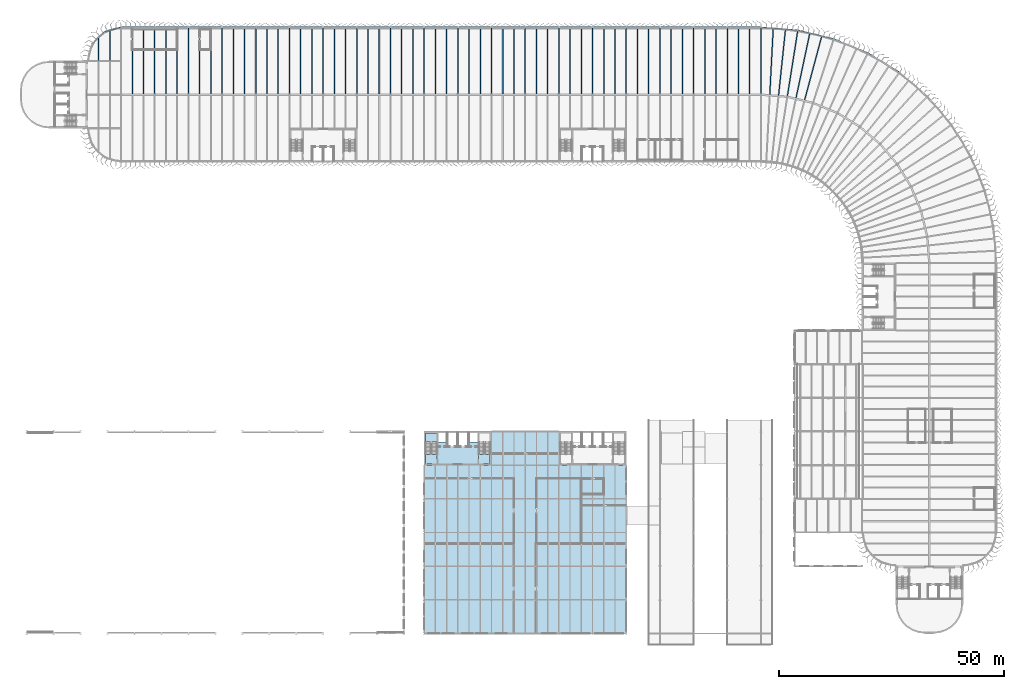
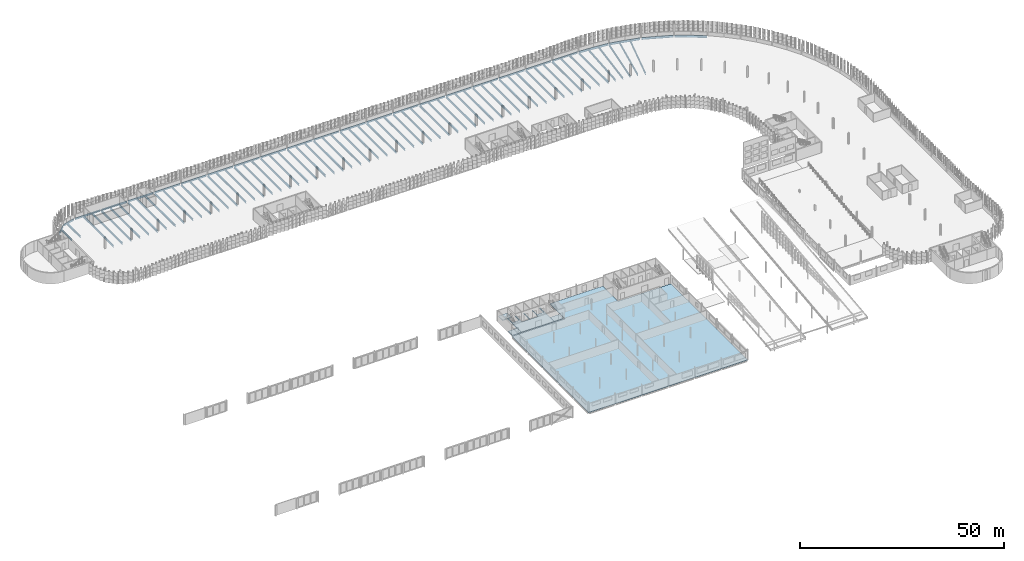
# One storey, part 45 of 199: 89 beams, 5 slabs, 1 element without a shape of its own.
"""IFC4 building model written with IfcOpenShell, lengths in metres."""

from ifc_helpers import new_model, si_unit, direction, frame, origin, origin_2d, place, context, subcontext, project, spatial, polyline, i_section, outline, extrude, material, layer, layer_set, material_profile, profile_set, type_object, element, aggregate, save


model = new_model("IFC4")

# Units and contexts
model_context = context("Model", 3, precision=1e-05, world=origin(), true_north=direction((0.0, 1.0)))
body_context = subcontext(model_context, "Body", "Model", "MODEL_VIEW")
ifc_project = project(units=[si_unit("LENGTHUNIT", "METRE"), si_unit("AREAUNIT", "SQUARE_METRE"), si_unit("VOLUMEUNIT", "CUBIC_METRE"), si_unit("PLANEANGLEUNIT", "RADIAN"), si_unit("MASSUNIT", "GRAM", prefix="KILO")], contexts=[model_context])

# Site, building, storey
site_placement = place(None, origin())
site = spatial("IfcSite", under=ifc_project, at=site_placement, CompositionType="ELEMENT")
building_placement = place(site_placement, origin())
building = spatial("IfcBuilding", under=site, at=building_placement, Name="Parallax Yard Mobility Hub", CompositionType="ELEMENT")
storey_placement = place(building_placement, frame((0.0, 0.0, 9.89990234375)))
storey = spatial("IfcBuildingStorey", under=building, at=storey_placement, Name="L03", CompositionType="ELEMENT", Elevation=9.89990234375)

# Beams
ifc_material_1 = material(Name="Steel ASTM A992", Category="steel")
ifc_material_profile_1 = material_profile(ifc_material_1, i_section(OverallWidth=0.208984375, OverallDepth=0.532958984375, WebThickness=0.01025390625, FlangeThickness=0.015625, FilletRadius=0.0126953125, at=origin_2d()), Name="W530x92")
ifc_profile_set_1 = profile_set([ifc_material_profile_1], Name="Steel ASTM A992")
beam_type_1 = type_object("IfcBeamType", Name="W530x92 edge beam", PredefinedType="SPANDREL", material=ifc_profile_set_1)
beam_1_placement = place(storey_placement, frame((30.153564453125, 142.5, -0.406494140625), z_axis=(1.0, 0.0, 0.0), x_axis=(0.0, 1.0, 0.0)))
element("IfcBeam", 1, at=beam_1_placement, inside=storey, type_object=beam_type_1, Name="Edge beam SB5 level L03, line V of ramped parking decks, span 1", PredefinedType="SPANDREL", context=body_context, shape_type="SweptSolid", body=[
    extrude(i_section(OverallWidth=0.208984375, OverallDepth=0.532958984375, WebThickness=0.01025390625, FlangeThickness=0.015625, FilletRadius=0.0126953125, at=origin_2d()), origin(), (0.0, 0.0, 1.0), 7.19384765625),
])
for number, where, z_axis, x_axis, name in (
    (2, (37.652587890625, 142.5, -0.406494140625), (1.0, 0.0, 0.0), (0.0, 1.0, 0.0), "Edge beam SB5 level L03, line V of ramped parking decks, span 2"),
    (3, (45.152587890625, 142.5, -0.406494140625), (1.0, 0.0, 0.0), (0.0, 1.0, 0.0), "Edge beam SB5 level L03, line V of ramped parking decks, span 3"),
    (4, (52.652587890625, 142.5, -0.406494140625), (1.0, 0.0, 0.0), (0.0, 1.0, 0.0), "Edge beam SB5 level L03, line V of ramped parking decks, span 4"),
    (5, (60.152587890625, 142.5, -0.406494140625), (1.0, 0.0, 0.0), (0.0, 1.0, 0.0), "Edge beam SB5 level L03, line V of ramped parking decks, span 5"),
    (6, (67.652587890625, 142.5, -0.406494140625), (1.0, 0.0, 0.0), (0.0, 1.0, 0.0), "Edge beam SB5 level L03, line V of ramped parking decks, span 6"),
    (7, (75.152587890625, 142.5, -0.406494140625), (1.0, 0.0, 0.0), (0.0, 1.0, 0.0), "Edge beam SB5 level L03, line V of ramped parking decks, span 7"),
    (8, (82.652587890625, 142.5, -0.406494140625), (1.0, 0.0, 0.0), (0.0, 1.0, 0.0), "Edge beam SB5 level L03, line V of ramped parking decks, span 8"),
    (9, (90.152587890625, 142.5, -0.406494140625), (1.0, 0.0, 0.0), (0.0, 1.0, 0.0), "Edge beam SB5 level L03, line V of ramped parking decks, span 9"),
    (10, (97.652587890625, 142.5, -0.406494140625), (1.0, 0.0, 0.0), (0.0, 1.0, 0.0), "Edge beam SB5 level L03, line V of ramped parking decks, span 10"),
    (11, (105.152587890625, 142.5, -0.406494140625), (1.0, 0.0, 0.0), (0.0, 1.0, 0.0), "Edge beam SB5 level L03, line V of ramped parking decks, span 11"),
    (12, (112.652587890625, 142.5, -0.406494140625), (1.0, 0.0, 0.0), (0.0, 1.0, 0.0), "Edge beam SB5 level L03, line V of ramped parking decks, span 12"),
    (13, (120.152587890625, 142.5, -0.406494140625), (1.0, 0.0, 0.0), (0.0, 1.0, 0.0), "Edge beam SB5 level L03, line V of ramped parking decks, span 13"),
    (14, (127.652587890625, 142.5, -0.406494140625), (1.0, 0.0, 0.0), (0.0, 1.0, 0.0), "Edge beam SB5 level L03, line V of ramped parking decks, span 14"),
    (15, (135.152587890625, 142.5, -0.406494140625), (1.0, 0.0, 0.0), (0.0, 1.0, 0.0), "Edge beam SB5 level L03, line V of ramped parking decks, span 15"),
    (16, (142.652587890625, 142.5, -0.406494140625), (1.0, 0.0, 0.0), (0.0, 1.0, 0.0), "Edge beam SB5 level L03, line V of ramped parking decks, span 16"),
    (17, (150.152587890625, 142.5, -0.406494140625), (1.0, 0.0, 0.0), (0.0, 1.0, 0.0), "Edge beam SB5 level L03, line V of ramped parking decks, span 17"),
    (18, (157.652587890625, 142.5, -0.406494140625), (1.0, 0.0, 0.0), (0.0, 1.0, 0.0), "Edge beam SB5 level L03, line V of ramped parking decks, span 18"),
    (19, (165.152587890625, 142.5, -0.406494140625), (1.0, 0.0, 0.0), (0.0, 1.0, 0.0), "Edge beam SB5 level L03, line V of ramped parking decks, span 19"),
):
    element("IfcBeam", number, at=place(storey_placement, frame(where, z_axis=z_axis, x_axis=x_axis)), inside=storey, type_object=beam_type_1, Name=name, PredefinedType="SPANDREL", context=body_context, shape_type="SweptSolid", body=[
        extrude(i_section(OverallWidth=0.208984375, OverallDepth=0.532958984375, WebThickness=0.01025390625, FlangeThickness=0.015625, FilletRadius=0.0126953125, at=origin_2d()), origin(), (0.0, 0.0, 1.0), 7.19482421875),
    ])
beam_2_placement = place(storey_placement, frame((26.097412109375, 141.3427734375, -0.406494140625), z_axis=(-0.707106781187, -0.707106781187, 0.0), x_axis=(0.707106781187, -0.707106781187, 0.0)))
element("IfcBeam", 20, at=beam_2_placement, inside=storey, type_object=beam_type_1, Name="Edge beam SB5 level L03, the west end of ramped parking decks, span 4", PredefinedType="SPANDREL", context=body_context, shape_type="SweptSolid", body=[
    extrude(i_section(OverallWidth=0.208984375, OverallDepth=0.532958984375, WebThickness=0.01025390625, FlangeThickness=0.015625, FilletRadius=0.0126953125, at=origin_2d()), origin(), (0.0, 0.0, 1.0), 3.450927734375),
])
beam_3_placement = place(storey_placement, frame((29.846435546875, 142.458984375, -0.406494140625), z_axis=(-0.965920541607, -0.258838766998, 0.0), x_axis=(0.258838766998, -0.965920541607, 0.0)))
element("IfcBeam", 21, at=beam_3_placement, inside=storey, type_object=beam_type_1, Name="Edge beam SB5 level L03, the west end of ramped parking decks, span 6", PredefinedType="SPANDREL", context=body_context, shape_type="SweptSolid", body=[
    extrude(i_section(OverallWidth=0.208984375, OverallDepth=0.532958984375, WebThickness=0.01025390625, FlangeThickness=0.015625, FilletRadius=0.0126953125, at=origin_2d()), origin(), (0.0, 0.0, 1.0), 3.5654296875),
])
ifc_material_profile_2 = material_profile(ifc_material_1, i_section(OverallWidth=0.22802734375, OverallDepth=0.60205078125, WebThickness=0.010498046875, FlangeThickness=0.014892578125, FilletRadius=0.0126953125, at=origin_2d()), Name="W610x101")
ifc_profile_set_2 = profile_set([ifc_material_profile_2], Name="Steel ASTM A992")
beam_type_2 = type_object("IfcBeamType", Name="W610x101 secondary beam", PredefinedType="JOIST", material=ifc_profile_set_2)
for number, where, z_axis, x_axis, name in (
    (22, (70.0, 127.66259765625, -0.44091796875), (0.0, 1.0, 0.0), (-1.0, 0.0, 0.0), "Secondary beam B3 level L03, 2.5 m east of line 10 of ramped parking decks, span 2"),
    (23, (77.5, 127.66259765625, -0.44091796875), (0.0, 1.0, 0.0), (-1.0, 0.0, 0.0), "Secondary beam B3 level L03, 2.5 m east of line 11 of ramped parking decks, span 2"),
    (24, (85.0, 127.66259765625, -0.44091796875), (0.0, 1.0, 0.0), (-1.0, 0.0, 0.0), "Secondary beam B3 level L03, 2.5 m east of line 12 of ramped parking decks, span 2"),
    (25, (92.5, 127.66259765625, -0.44091796875), (0.0, 1.0, 0.0), (-1.0, 0.0, 0.0), "Secondary beam B3 level L03, 2.5 m east of line 13 of ramped parking decks, span 2"),
    (26, (100.0, 127.66259765625, -0.44091796875), (0.0, 1.0, 0.0), (-1.0, 0.0, 0.0), "Secondary beam B3 level L03, 2.5 m east of line 14 of ramped parking decks, span 2"),
    (27, (107.5, 127.66259765625, -0.44091796875), (0.0, 1.0, 0.0), (-1.0, 0.0, 0.0), "Secondary beam B3 level L03, 2.5 m east of line 15 of ramped parking decks, span 2"),
    (28, (115.0, 127.66259765625, -0.44091796875), (0.0, 1.0, 0.0), (-1.0, 0.0, 0.0), "Secondary beam B3 level L03, 2.5 m east of line 16 of ramped parking decks, span 2"),
    (29, (122.5, 127.66259765625, -0.44091796875), (0.0, 1.0, 0.0), (-1.0, 0.0, 0.0), "Secondary beam B3 level L03, 2.5 m east of line 17 of ramped parking decks, span 2"),
    (30, (130.0, 127.66259765625, -0.44091796875), (0.0, 1.0, 0.0), (-1.0, 0.0, 0.0), "Secondary beam B3 level L03, 2.5 m east of line 18 of ramped parking decks, span 2"),
    (31, (137.5, 127.66259765625, -0.44091796875), (0.0, 1.0, 0.0), (-1.0, 0.0, 0.0), "Secondary beam B3 level L03, 2.5 m east of line 19 of ramped parking decks, span 2"),
    (32, (145.0, 127.66259765625, -0.44091796875), (0.0, 1.0, 0.0), (-1.0, 0.0, 0.0), "Secondary beam B3 level L03, 2.5 m east of line 20 of ramped parking decks, span 2"),
    (33, (152.5, 127.66259765625, -0.44091796875), (0.0, 1.0, 0.0), (-1.0, 0.0, 0.0), "Secondary beam B3 level L03, 2.5 m east of line 21 of ramped parking decks, span 2"),
    (34, (160.0, 127.66259765625, -0.44091796875), (0.0, 1.0, 0.0), (-1.0, 0.0, 0.0), "Secondary beam B3 level L03, 2.5 m east of line 22 of ramped parking decks, span 2"),
    (35, (167.5, 127.66259765625, -0.44091796875), (0.0, 1.0, 0.0), (-1.0, 0.0, 0.0), "Secondary beam B3 level L03, 2.5 m east of line 23 of ramped parking decks, span 2"),
):
    element("IfcBeam", number, at=place(storey_placement, frame(where, z_axis=z_axis, x_axis=x_axis)), inside=storey, type_object=beam_type_2, Name=name, PredefinedType="JOIST", context=body_context, shape_type="SweptSolid", body=[
        extrude(i_section(OverallWidth=0.22802734375, OverallDepth=0.60205078125, WebThickness=0.010498046875, FlangeThickness=0.014892578125, FilletRadius=0.0126953125, at=origin_2d()), origin(), (0.0, 0.0, 1.0), 14.73291015625),
    ])
beam_4_placement = place(storey_placement, frame((25.0, 135.095458984375, -0.44091796875), z_axis=(0.0, 1.0, 0.0), x_axis=(-1.0, 0.0, 0.0)))
element("IfcBeam", 36, at=beam_4_placement, inside=storey, type_object=beam_type_2, Name="Secondary beam B3 level L03, 2.5 m east of line 4 of ramped parking decks, span 4", PredefinedType="JOIST", context=body_context, shape_type="SweptSolid", body=[
    extrude(i_section(OverallWidth=0.22802734375, OverallDepth=0.60205078125, WebThickness=0.010498046875, FlangeThickness=0.014892578125, FilletRadius=0.0126953125, at=origin_2d()), origin(), (0.0, 0.0, 1.0), 5.001953125),
])
for number, where, z_axis, x_axis, name in (
    (37, (32.5, 127.66259765625, -0.44091796875), (0.0, 1.0, 0.0), (-1.0, 0.0, 0.0), "Secondary beam B3 level L03, 2.5 m east of line 5 of ramped parking decks, span 2"),
    (38, (40.0, 127.66259765625, -0.44091796875), (0.0, 1.0, 0.0), (-1.0, 0.0, 0.0), "Secondary beam B3 level L03, 2.5 m east of line 6 of ramped parking decks, span 2"),
    (39, (47.5, 127.66259765625, -0.44091796875), (0.0, 1.0, 0.0), (-1.0, 0.0, 0.0), "Secondary beam B3 level L03, 2.5 m east of line 7 of ramped parking decks, span 2"),
    (40, (55.0, 127.66259765625, -0.44091796875), (0.0, 1.0, 0.0), (-1.0, 0.0, 0.0), "Secondary beam B3 level L03, 2.5 m east of line 8 of ramped parking decks, span 2"),
    (41, (62.5, 127.66259765625, -0.44091796875), (0.0, 1.0, 0.0), (-1.0, 0.0, 0.0), "Secondary beam B3 level L03, 2.5 m east of line 9 of ramped parking decks, span 2"),
    (42, (72.5, 127.66259765625, -0.44091796875), (0.0, 1.0, 0.0), (-1.0, 0.0, 0.0), "Secondary beam B3 level L03, 5 m east of line 10 of ramped parking decks, span 2"),
    (43, (80.0, 127.66259765625, -0.44091796875), (0.0, 1.0, 0.0), (-1.0, 0.0, 0.0), "Secondary beam B3 level L03, 5 m east of line 11 of ramped parking decks, span 2"),
    (44, (87.5, 127.66259765625, -0.44091796875), (0.0, 1.0, 0.0), (-1.0, 0.0, 0.0), "Secondary beam B3 level L03, 5 m east of line 12 of ramped parking decks, span 2"),
    (45, (95.0, 127.66259765625, -0.44091796875), (0.0, 1.0, 0.0), (-1.0, 0.0, 0.0), "Secondary beam B3 level L03, 5 m east of line 13 of ramped parking decks, span 2"),
    (46, (102.5, 127.66259765625, -0.44091796875), (0.0, 1.0, 0.0), (-1.0, 0.0, 0.0), "Secondary beam B3 level L03, 5 m east of line 14 of ramped parking decks, span 2"),
    (47, (110.0, 127.66259765625, -0.44091796875), (0.0, 1.0, 0.0), (-1.0, 0.0, 0.0), "Secondary beam B3 level L03, 5 m east of line 15 of ramped parking decks, span 2"),
    (48, (117.5, 127.66259765625, -0.44091796875), (0.0, 1.0, 0.0), (-1.0, 0.0, 0.0), "Secondary beam B3 level L03, 5 m east of line 16 of ramped parking decks, span 2"),
    (49, (125.0, 127.66259765625, -0.44091796875), (0.0, 1.0, 0.0), (-1.0, 0.0, 0.0), "Secondary beam B3 level L03, 5 m east of line 17 of ramped parking decks, span 2"),
    (50, (132.5, 127.66259765625, -0.44091796875), (0.0, 1.0, 0.0), (-1.0, 0.0, 0.0), "Secondary beam B3 level L03, 5 m east of line 18 of ramped parking decks, span 2"),
    (51, (140.0, 127.66259765625, -0.44091796875), (0.0, 1.0, 0.0), (-1.0, 0.0, 0.0), "Secondary beam B3 level L03, 5 m east of line 19 of ramped parking decks, span 2"),
    (52, (147.5, 127.66259765625, -0.44091796875), (0.0, 1.0, 0.0), (-1.0, 0.0, 0.0), "Secondary beam B3 level L03, 5 m east of line 20 of ramped parking decks, span 2"),
    (53, (155.0, 127.66259765625, -0.44091796875), (0.0, 1.0, 0.0), (-1.0, 0.0, 0.0), "Secondary beam B3 level L03, 5 m east of line 21 of ramped parking decks, span 2"),
    (54, (162.5, 127.66259765625, -0.44091796875), (0.0, 1.0, 0.0), (-1.0, 0.0, 0.0), "Secondary beam B3 level L03, 5 m east of line 22 of ramped parking decks, span 2"),
    (55, (170.0, 127.66259765625, -0.44091796875), (0.0, 1.0, 0.0), (-1.0, 0.0, 0.0), "Secondary beam B3 level L03, 5 m east of line 23 of ramped parking decks, span 2"),
):
    element("IfcBeam", number, at=place(storey_placement, frame(where, z_axis=z_axis, x_axis=x_axis)), inside=storey, type_object=beam_type_2, Name=name, PredefinedType="JOIST", context=body_context, shape_type="SweptSolid", body=[
        extrude(i_section(OverallWidth=0.22802734375, OverallDepth=0.60205078125, WebThickness=0.010498046875, FlangeThickness=0.014892578125, FilletRadius=0.0126953125, at=origin_2d()), origin(), (0.0, 0.0, 1.0), 14.73291015625),
    ])
beam_5_placement = place(storey_placement, frame((27.5, 135.095458984375, -0.44091796875), z_axis=(0.0, 1.0, 0.0), x_axis=(-1.0, 0.0, 0.0)))
element("IfcBeam", 56, at=beam_5_placement, inside=storey, type_object=beam_type_2, Name="Secondary beam B3 level L03, 5 m east of line 4 of ramped parking decks, span 4", PredefinedType="JOIST", context=body_context, shape_type="SweptSolid", body=[
    extrude(i_section(OverallWidth=0.22802734375, OverallDepth=0.60205078125, WebThickness=0.010498046875, FlangeThickness=0.014892578125, FilletRadius=0.0126953125, at=origin_2d()), origin(), (0.0, 0.0, 1.0), 6.62646484375),
])
for number, where, z_axis, x_axis, name in (
    (57, (35.0, 127.66259765625, -0.44091796875), (0.0, 1.0, 0.0), (-1.0, 0.0, 0.0), "Secondary beam B3 level L03, 5 m east of line 5 of ramped parking decks, span 2"),
    (58, (42.5, 127.66259765625, -0.44091796875), (0.0, 1.0, 0.0), (-1.0, 0.0, 0.0), "Secondary beam B3 level L03, 5 m east of line 6 of ramped parking decks, span 2"),
    (59, (50.0, 127.66259765625, -0.44091796875), (0.0, 1.0, 0.0), (-1.0, 0.0, 0.0), "Secondary beam B3 level L03, 5 m east of line 7 of ramped parking decks, span 2"),
    (60, (57.5, 127.66259765625, -0.44091796875), (0.0, 1.0, 0.0), (-1.0, 0.0, 0.0), "Secondary beam B3 level L03, 5 m east of line 8 of ramped parking decks, span 2"),
    (61, (65.0, 127.66259765625, -0.44091796875), (0.0, 1.0, 0.0), (-1.0, 0.0, 0.0), "Secondary beam B3 level L03, 5 m east of line 9 of ramped parking decks, span 2"),
):
    element("IfcBeam", number, at=place(storey_placement, frame(where, z_axis=z_axis, x_axis=x_axis)), inside=storey, type_object=beam_type_2, Name=name, PredefinedType="JOIST", context=body_context, shape_type="SweptSolid", body=[
        extrude(i_section(OverallWidth=0.22802734375, OverallDepth=0.60205078125, WebThickness=0.010498046875, FlangeThickness=0.014892578125, FilletRadius=0.0126953125, at=origin_2d()), origin(), (0.0, 0.0, 1.0), 14.73291015625),
    ])
for number, where, z_axis, x_axis, name in (
    (62, (180.30908203125, 126.739013671875, -0.44091796875), (0.207908276129, 0.978148326542, 0.0), (-0.978148326542, 0.207908276129, 0.0), "Secondary beam B3 level L03, radial at 12 degrees of ramped parking decks, span 2"),
    (63, (182.22119140625, 126.27978515625, -0.44091796875), (0.258824743814, 0.965924299306, 0.0), (-0.965924299306, 0.258824743814, 0.0), "Secondary beam B3 level L03, radial at 15 degrees of ramped parking decks, span 2"),
):
    element("IfcBeam", number, at=place(storey_placement, frame(where, z_axis=z_axis, x_axis=x_axis)), inside=storey, type_object=beam_type_2, Name=name, PredefinedType="JOIST", context=body_context, shape_type="SweptSolid", body=[
        extrude(i_section(OverallWidth=0.22802734375, OverallDepth=0.60205078125, WebThickness=0.010498046875, FlangeThickness=0.014892578125, FilletRadius=0.0126953125, at=origin_2d()), origin(), (0.0, 0.0, 1.0), 14.681884765625),
    ])
for number, where, z_axis, x_axis, name in (
    (64, (174.4658203125, 127.50830078125, -0.44091796875), (0.052331034694, 0.99862979267, 0.0), (-0.99862979267, 0.052331034694, 0.0), "Secondary beam B3 level L03, radial at 3 degrees of ramped parking decks, span 2"),
    (65, (176.426025390625, 127.35400390625, -0.44091796875), (0.104528973154, 0.994521841777, 0.0), (-0.994521841777, 0.104528973154, 0.0), "Secondary beam B3 level L03, radial at 6 degrees of ramped parking decks, span 2"),
):
    element("IfcBeam", number, at=place(storey_placement, frame(where, z_axis=z_axis, x_axis=x_axis)), inside=storey, type_object=beam_type_2, Name=name, PredefinedType="JOIST", context=body_context, shape_type="SweptSolid", body=[
        extrude(i_section(OverallWidth=0.22802734375, OverallDepth=0.60205078125, WebThickness=0.010498046875, FlangeThickness=0.014892578125, FilletRadius=0.0126953125, at=origin_2d()), origin(), (0.0, 0.0, 1.0), 14.681640625),
    ])
ifc_material_profile_3 = material_profile(ifc_material_1, i_section(OverallWidth=0.22900390625, OverallDepth=0.612060546875, WebThickness=0.011962890625, FlangeThickness=0.01953125, FilletRadius=0.0126953125, at=origin_2d()), Name="W610x125")
ifc_profile_set_3 = profile_set([ifc_material_profile_3], Name="Steel ASTM A992")
beam_type_3 = type_object("IfcBeamType", Name="W610x125 edge beam", PredefinedType="SPANDREL", material=ifc_profile_set_3)
beam_6_placement = place(storey_placement, frame((172.652587890625, 142.488037109375, -0.44580078125), z_axis=(0.996915282965, -0.07848514886, 0.0), x_axis=(0.07848514886, 0.996915282965, 0.0)))
element("IfcBeam", 66, at=beam_6_placement, inside=storey, type_object=beam_type_3, Name="Edge beam SB7 level L03, ring RC of ramped parking decks, span 1", PredefinedType="SPANDREL", context=body_context, shape_type="SweptSolid", body=[
    extrude(i_section(OverallWidth=0.22900390625, OverallDepth=0.612060546875, WebThickness=0.011962890625, FlangeThickness=0.01953125, FilletRadius=0.0126953125, at=origin_2d()), origin(), (0.0, 0.0, 1.0), 7.93212890625),
])
for number, where, z_axis, x_axis, name in (
    (67, (180.861572265625, 141.81787109375, -0.44580078125), (0.972375566855, -0.233421843416, 0.0), (0.233421843416, 0.972375566855, 0.0), "Edge beam SB7 level L03, ring RC of ramped parking decks, span 2"),
    (68, (188.86474609375, 139.8720703125, -0.44580078125), (0.923862648737, -0.38272419086, 0.0), (0.38272419086, 0.923862648737, 0.0), "Edge beam SB7 level L03, ring RC of ramped parking decks, span 3"),
    (69, (196.46484375, 136.697998046875, -0.44580078125), (0.852632214776, -0.522511537027, 0.0), (0.522511537027, 0.852632214776, 0.0), "Edge beam SB7 level L03, ring RC of ramped parking decks, span 4"),
):
    element("IfcBeam", number, at=place(storey_placement, frame(where, z_axis=z_axis, x_axis=x_axis)), inside=storey, type_object=beam_type_3, Name=name, PredefinedType="SPANDREL", context=body_context, shape_type="SweptSolid", body=[
        extrude(i_section(OverallWidth=0.22900390625, OverallDepth=0.612060546875, WebThickness=0.011962890625, FlangeThickness=0.01953125, FilletRadius=0.0126953125, at=origin_2d()), origin(), (0.0, 0.0, 1.0), 7.932373046875),
    ])
ifc_material_profile_4 = material_profile(ifc_material_1, i_section(OverallWidth=0.22900390625, OverallDepth=0.612060546875, WebThickness=0.011962890625, FlangeThickness=0.01953125, FilletRadius=0.0126953125, at=origin_2d()), Name="W610x125")
ifc_profile_set_4 = profile_set([ifc_material_profile_4], Name="Steel ASTM A992")
beam_type_4 = type_object("IfcBeamType", Name="W610x125 girder", PredefinedType="BEAM", material=ifc_profile_set_4)
beam_7_placement = place(storey_placement, frame((67.5, 127.68798828125, -0.44580078125), z_axis=(0.0, 1.0, 0.0), x_axis=(-1.0, 0.0, 0.0)))
element("IfcBeam", 70, at=beam_7_placement, inside=storey, type_object=beam_type_4, Name="Girder G3 level L03, line 10 of ramped parking decks, span 2", PredefinedType="BEAM", context=body_context, shape_type="SweptSolid", body=[
    extrude(i_section(OverallWidth=0.22900390625, OverallDepth=0.612060546875, WebThickness=0.011962890625, FlangeThickness=0.01953125, FilletRadius=0.0126953125, at=origin_2d()), origin(), (0.0, 0.0, 1.0), 14.658447265625),
])
beam_8_placement = place(storey_placement, frame((75.0, 127.6904296875, -0.44580078125), z_axis=(0.0, 1.0, 0.0), x_axis=(-1.0, 0.0, 0.0)))
element("IfcBeam", 71, at=beam_8_placement, inside=storey, type_object=beam_type_4, Name="Girder G3 level L03, line 11 of ramped parking decks, span 2", PredefinedType="BEAM", context=body_context, shape_type="SweptSolid", body=[
    extrude(i_section(OverallWidth=0.22900390625, OverallDepth=0.612060546875, WebThickness=0.011962890625, FlangeThickness=0.01953125, FilletRadius=0.0126953125, at=origin_2d()), origin(), (0.0, 0.0, 1.0), 14.656005859375),
])
beam_9_placement = place(storey_placement, frame((82.5, 127.68798828125, -0.44580078125), z_axis=(0.0, 1.0, 0.0), x_axis=(-1.0, 0.0, 0.0)))
element("IfcBeam", 72, at=beam_9_placement, inside=storey, type_object=beam_type_4, Name="Girder G3 level L03, line 12 of ramped parking decks, span 2", PredefinedType="BEAM", context=body_context, shape_type="SweptSolid", body=[
    extrude(i_section(OverallWidth=0.22900390625, OverallDepth=0.612060546875, WebThickness=0.011962890625, FlangeThickness=0.01953125, FilletRadius=0.0126953125, at=origin_2d()), origin(), (0.0, 0.0, 1.0), 14.658447265625),
])
for number, where, z_axis, x_axis, name in (
    (73, (90.0, 127.68408203125, -0.44580078125), (0.0, 1.0, 0.0), (-1.0, 0.0, 0.0), "Girder G3 level L03, line 13 of ramped parking decks, span 2"),
    (74, (97.5, 127.68408203125, -0.44580078125), (0.0, 1.0, 0.0), (-1.0, 0.0, 0.0), "Girder G3 level L03, line 14 of ramped parking decks, span 2"),
    (75, (105.0, 127.68408203125, -0.44580078125), (0.0, 1.0, 0.0), (-1.0, 0.0, 0.0), "Girder G3 level L03, line 15 of ramped parking decks, span 2"),
    (76, (112.5, 127.68408203125, -0.44580078125), (0.0, 1.0, 0.0), (-1.0, 0.0, 0.0), "Girder G3 level L03, line 16 of ramped parking decks, span 2"),
    (77, (120.0, 127.68408203125, -0.44580078125), (0.0, 1.0, 0.0), (-1.0, 0.0, 0.0), "Girder G3 level L03, line 17 of ramped parking decks, span 2"),
):
    element("IfcBeam", number, at=place(storey_placement, frame(where, z_axis=z_axis, x_axis=x_axis)), inside=storey, type_object=beam_type_4, Name=name, PredefinedType="BEAM", context=body_context, shape_type="SweptSolid", body=[
        extrude(i_section(OverallWidth=0.22900390625, OverallDepth=0.612060546875, WebThickness=0.011962890625, FlangeThickness=0.01953125, FilletRadius=0.0126953125, at=origin_2d()), origin(), (0.0, 0.0, 1.0), 14.662353515625),
    ])
beam_10_placement = place(storey_placement, frame((127.5, 127.68798828125, -0.44580078125), z_axis=(0.0, 1.0, 0.0), x_axis=(-1.0, 0.0, 0.0)))
element("IfcBeam", 78, at=beam_10_placement, inside=storey, type_object=beam_type_4, Name="Girder G3 level L03, line 18 of ramped parking decks, span 2", PredefinedType="BEAM", context=body_context, shape_type="SweptSolid", body=[
    extrude(i_section(OverallWidth=0.22900390625, OverallDepth=0.612060546875, WebThickness=0.011962890625, FlangeThickness=0.01953125, FilletRadius=0.0126953125, at=origin_2d()), origin(), (0.0, 0.0, 1.0), 14.658447265625),
])
beam_11_placement = place(storey_placement, frame((135.0, 127.6904296875, -0.44580078125), z_axis=(0.0, 1.0, 0.0), x_axis=(-1.0, 0.0, 0.0)))
element("IfcBeam", 79, at=beam_11_placement, inside=storey, type_object=beam_type_4, Name="Girder G3 level L03, line 19 of ramped parking decks, span 2", PredefinedType="BEAM", context=body_context, shape_type="SweptSolid", body=[
    extrude(i_section(OverallWidth=0.22900390625, OverallDepth=0.612060546875, WebThickness=0.011962890625, FlangeThickness=0.01953125, FilletRadius=0.0126953125, at=origin_2d()), origin(), (0.0, 0.0, 1.0), 14.656005859375),
])
beam_12_placement = place(storey_placement, frame((142.5, 127.68798828125, -0.44580078125), z_axis=(0.0, 1.0, 0.0), x_axis=(-1.0, 0.0, 0.0)))
element("IfcBeam", 80, at=beam_12_placement, inside=storey, type_object=beam_type_4, Name="Girder G3 level L03, line 20 of ramped parking decks, span 2", PredefinedType="BEAM", context=body_context, shape_type="SweptSolid", body=[
    extrude(i_section(OverallWidth=0.22900390625, OverallDepth=0.612060546875, WebThickness=0.011962890625, FlangeThickness=0.01953125, FilletRadius=0.0126953125, at=origin_2d()), origin(), (0.0, 0.0, 1.0), 14.658447265625),
])
for number, where, z_axis, x_axis, name in (
    (81, (150.0, 127.68408203125, -0.44580078125), (0.0, 1.0, 0.0), (-1.0, 0.0, 0.0), "Girder G3 level L03, line 21 of ramped parking decks, span 2"),
    (82, (157.5, 127.68408203125, -0.44580078125), (0.0, 1.0, 0.0), (-1.0, 0.0, 0.0), "Girder G3 level L03, line 22 of ramped parking decks, span 2"),
    (83, (165.0, 127.68408203125, -0.44580078125), (0.0, 1.0, 0.0), (-1.0, 0.0, 0.0), "Girder G3 level L03, line 23 of ramped parking decks, span 2"),
):
    element("IfcBeam", number, at=place(storey_placement, frame(where, z_axis=z_axis, x_axis=x_axis)), inside=storey, type_object=beam_type_4, Name=name, PredefinedType="BEAM", context=body_context, shape_type="SweptSolid", body=[
        extrude(i_section(OverallWidth=0.22900390625, OverallDepth=0.612060546875, WebThickness=0.011962890625, FlangeThickness=0.01953125, FilletRadius=0.0126953125, at=origin_2d()), origin(), (0.0, 0.0, 1.0), 14.662353515625),
    ])
beam_13_placement = place(storey_placement, frame((172.5, 127.6640625, -0.44580078125), z_axis=(0.0, 1.0, 0.0), x_axis=(-1.0, 0.0, 0.0)))
element("IfcBeam", 84, at=beam_13_placement, inside=storey, type_object=beam_type_4, Name="Girder G3 level L03, line 24 of ramped parking decks, span 2", PredefinedType="BEAM", context=body_context, shape_type="SweptSolid", body=[
    extrude(i_section(OverallWidth=0.22900390625, OverallDepth=0.612060546875, WebThickness=0.011962890625, FlangeThickness=0.01953125, FilletRadius=0.0126953125, at=origin_2d()), origin(), (0.0, 0.0, 1.0), 14.682373046875),
])
for number, where, z_axis, x_axis, name in (
    (85, (37.5, 127.68408203125, -0.44580078125), (0.0, 1.0, 0.0), (-1.0, 0.0, 0.0), "Girder G3 level L03, line 6 of ramped parking decks, span 2"),
    (86, (45.0, 127.68408203125, -0.44580078125), (0.0, 1.0, 0.0), (-1.0, 0.0, 0.0), "Girder G3 level L03, line 7 of ramped parking decks, span 2"),
    (87, (52.5, 127.68408203125, -0.44580078125), (0.0, 1.0, 0.0), (-1.0, 0.0, 0.0), "Girder G3 level L03, line 8 of ramped parking decks, span 2"),
    (88, (60.0, 127.68408203125, -0.44580078125), (0.0, 1.0, 0.0), (-1.0, 0.0, 0.0), "Girder G3 level L03, line 9 of ramped parking decks, span 2"),
):
    element("IfcBeam", number, at=place(storey_placement, frame(where, z_axis=z_axis, x_axis=x_axis)), inside=storey, type_object=beam_type_4, Name=name, PredefinedType="BEAM", context=body_context, shape_type="SweptSolid", body=[
        extrude(i_section(OverallWidth=0.22900390625, OverallDepth=0.612060546875, WebThickness=0.011962890625, FlangeThickness=0.01953125, FilletRadius=0.0126953125, at=origin_2d()), origin(), (0.0, 0.0, 1.0), 14.662353515625),
    ])
beam_14_placement = place(storey_placement, frame((178.39208984375, 127.2001953125, -0.44580078125), z_axis=(0.15642023306, 0.987690594614, 0.0), x_axis=(-0.987690594614, 0.15642023306, 0.0)))
element("IfcBeam", 89, at=beam_14_placement, inside=storey, type_object=beam_type_4, Name="Girder G3 level L03, radial R1 of ramped parking decks, span 1", PredefinedType="BEAM", context=body_context, shape_type="SweptSolid", body=[
    extrude(i_section(OverallWidth=0.22900390625, OverallDepth=0.612060546875, WebThickness=0.011962890625, FlangeThickness=0.01953125, FilletRadius=0.0126953125, at=origin_2d()), origin(), (0.0, 0.0, 1.0), 14.682373046875),
])

# Slabs
ifc_material_2 = material(Name="Composite slab: Concrete fc' 28 MPa on 76 mm steel deck", Category="concrete")
ifc_layer_1 = layer(ifc_material_2, 0.139892578125)
ifc_layer_set_1 = layer_set([ifc_layer_1], Name="Composite floor slab 140")
slab_type_1 = type_object("IfcSlabType", Name="Composite floor slab 140", PredefinedType="FLOOR", material=ifc_layer_set_1)
slab_1_placement = place(storey_placement, frame((0.0, 0.0, -0.139892578125)))
element("IfcSlab", 90, at=slab_1_placement, inside=storey, type_object=slab_type_1, Name="Composite floor slab level L03 of the mobility service centre and workshops", PredefinedType="FLOOR", context=body_context, shape_type="SweptSolid", body=[
    extrude(outline(polyline([(142.5, 7.5), (142.5, 45.0), (127.5, 45.0), (127.5, 52.5), (112.5, 52.5), (112.5, 45.0), (97.5, 45.0), (97.5, 7.5), (142.5, 7.5)])), origin(), (0.0, 0.0, 1.0), 0.139892578125),
])
ifc_material_3 = material(Name="Concrete fc' 35 MPa", Category="concrete")
ifc_layer_2 = layer(ifc_material_3, 0.199951171875)
ifc_layer_set_2 = layer_set([ifc_layer_2], Name="Core floor slab 200")
slab_type_2 = type_object("IfcSlabType", Name="Core floor slab 200", PredefinedType="FLOOR", material=ifc_layer_set_2)
slab_2_placement = place(storey_placement, frame((0.0, 0.0, -0.199951171875)))
element("IfcSlab", 91, at=slab_2_placement, inside=storey, type_object=slab_type_2, Name="Core C6-W floor slab level L03", PredefinedType="FLOOR", context=body_context, shape_type="SweptSolid", body=[
    extrude(outline(polyline([(104.89990234375, 49.199951171875), (104.89990234375, 52.199951171875), (105.10009765625, 52.199951171875), (105.10009765625, 49.199951171875), (107.300048828125, 49.199951171875), (107.300048828125, 52.199951171875), (107.5, 52.199951171875), (107.5, 50.10009765625), (109.39990234375, 50.10009765625), (109.39990234375, 52.199951171875), (109.64990234375, 52.199951171875), (109.64990234375, 45.300048828125), (100.35009765625, 45.300048828125), (100.35009765625, 52.199951171875), (100.60009765625, 52.199951171875), (100.60009765625, 50.10009765625), (102.5, 50.10009765625), (102.5, 52.199951171875), (102.699951171875, 52.199951171875), (102.699951171875, 49.199951171875), (104.89990234375, 49.199951171875)])), origin(), (0.0, 0.0, 1.0), 0.199951171875),
])

# Stair, slab
stair_type = type_object("IfcStairType", Name="Sports deck stair 1200 dog-leg", PredefinedType="HALF_TURN_STAIR", material=ifc_material_3)
stair_placement = place(storey_placement, origin())
stair = element("IfcStair", 92, at=stair_placement, inside=storey, type_object=stair_type, Name="L03 Exit stair 1 of core C6-W", PredefinedType="HALF_TURN_STAIR")
ifc_layer_3 = layer(ifc_material_3, 0.199951171875)
ifc_layer_set_3 = layer_set([ifc_layer_3], Name="Exit stair landing 200")
slab_type_3 = type_object("IfcSlabType", Name="Exit stair landing 200", PredefinedType="LANDING", material=ifc_layer_set_3)
slab_3_placement = place(storey_placement, frame((0.0, 0.0, 1.4501953125)))
slab_3 = element("IfcSlab", 93, at=slab_3_placement, type_object=slab_type_3, Name="ST11 landing 1", PredefinedType="LANDING", context=body_context, shape_type="SweptSolid", body=[
    extrude(outline(polyline([(100.35009765625, 50.10009765625), (100.35009765625, 52.199951171875), (97.800048828125, 52.199951171875), (97.800048828125, 50.10009765625), (100.35009765625, 50.10009765625)])), origin(), (0.0, 0.0, 1.0), 0.199951171875),
])
aggregate(stair, [slab_3])

# Slabs
ifc_layer_4 = layer(ifc_material_3, 0.199951171875)
ifc_layer_set_4 = layer_set([ifc_layer_4], Name="Stair floor landing slab 200")
slab_type_4 = type_object("IfcSlabType", Name="Stair floor landing slab 200", PredefinedType="FLOOR", material=ifc_layer_set_4)
slab_4_placement = place(storey_placement, frame((0.0, 0.0, -0.199951171875)))
element("IfcSlab", 94, at=slab_4_placement, inside=storey, type_object=slab_type_4, Name="Core C6-W exit stair 1 floor landing level L03", PredefinedType="FLOOR", context=body_context, shape_type="SweptSolid", body=[
    extrude(outline(polyline([(100.35009765625, 45.300048828125), (100.35009765625, 47.39990234375), (97.800048828125, 47.39990234375), (97.800048828125, 45.300048828125), (100.35009765625, 45.300048828125)])), origin(), (0.0, 0.0, 1.0), 0.199951171875),
])
slab_5_placement = place(storey_placement, frame((0.0, 0.0, -0.199951171875)))
element("IfcSlab", 95, at=slab_5_placement, inside=storey, type_object=slab_type_4, Name="Core C6-W exit stair 2 floor landing level L03", PredefinedType="FLOOR", context=body_context, shape_type="SweptSolid", body=[
    extrude(outline(polyline([(112.199951171875, 45.300048828125), (112.199951171875, 47.39990234375), (109.64990234375, 47.39990234375), (109.64990234375, 45.300048828125), (112.199951171875, 45.300048828125)])), origin(), (0.0, 0.0, 1.0), 0.199951171875),
])

save(model, "model.ifc")
